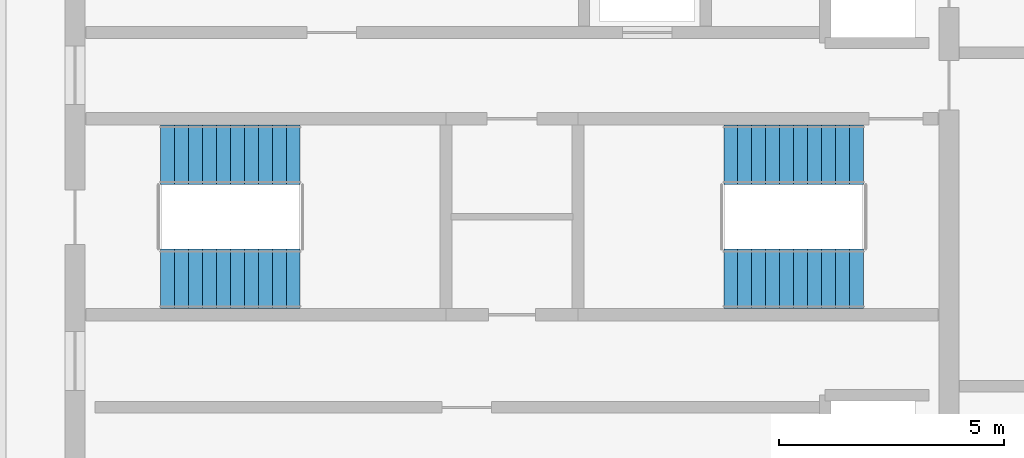
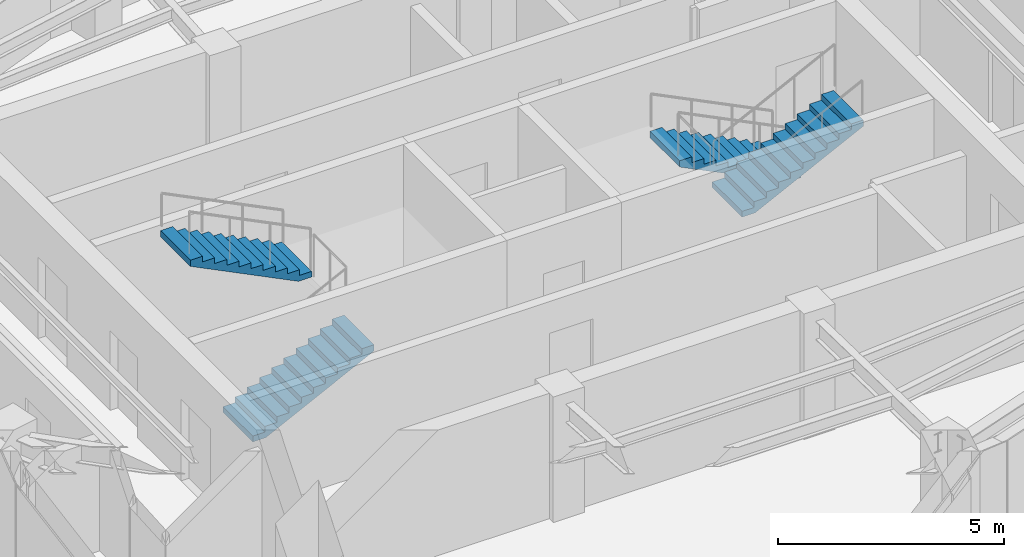
# One storey, part 4 of 5: 4 stair flights, 2 elements without a shape of their own.
"""IFC4 building model written with IfcOpenShell, lengths in metres."""

from ifc_helpers import new_model, si_unit, direction, frame, origin, place, context, subcontext, project, spatial, polyline, outline, extrude, material, type_object, element, aggregate, save


model = new_model("IFC4")

# Units and contexts
model_context = context("Model", 3, precision=1e-05, world=origin(), true_north=direction((0.0, 1.0)))
body_context = subcontext(model_context, "Body", "Model", "MODEL_VIEW")
ifc_project = project(units=[si_unit("LENGTHUNIT", "METRE"), si_unit("AREAUNIT", "SQUARE_METRE"), si_unit("VOLUMEUNIT", "CUBIC_METRE"), si_unit("PLANEANGLEUNIT", "RADIAN"), si_unit("MASSUNIT", "GRAM", prefix="KILO")], contexts=[model_context])

# Site, building, storey
site_placement = place(None, origin())
site = spatial("IfcSite", under=ifc_project, at=site_placement, CompositionType="ELEMENT")
building_placement = place(site_placement, origin())
building = spatial("IfcBuilding", under=site, at=building_placement, Name="Lazwardi Medical Tower", CompositionType="ELEMENT")
storey_placement = place(building_placement, frame((0.0, 0.0, 312.612060546875)))
storey = spatial("IfcBuildingStorey", under=building, at=storey_placement, Name="L82", CompositionType="ELEMENT", Elevation=312.612060546875)

# Stair, stair flights
ifc_material = material(Name="Concrete C45/55", Category="concrete")
stair_type = type_object("IfcStairType", Name="STR-CRN", PredefinedType="HALF_TURN_STAIR", material=ifc_material)
stair_1_placement = place(storey_placement, origin())
stair_1 = element("IfcStair", 1, at=stair_1_placement, inside=storey, type_object=stair_type, Name="L82 Protected Exit Stair ST1", PredefinedType="HALF_TURN_STAIR")
stair_flight_type = type_object("IfcStairFlightType", Name="FLT-CRN", PredefinedType="STRAIGHT", material=ifc_material)
stair_flight_1_placement = place(storey_placement, frame((28.199951171875, 26.679931640625, 0.0), z_axis=(0.0, 0.0, 1.0), x_axis=(1.0, 0.0, 0.0)))
stair_flight_1 = element("IfcStairFlight", 2, at=stair_flight_1_placement, type_object=stair_flight_type, Name="ST1 flight 1", NumberOfRisers=11, NumberOfTreads=10, PredefinedType="STRAIGHT", RiserHeight=0.154, TreadLength=0.31, context=body_context, shape_type="SweptSolid", body=[
    extrude(outline(polyline([(0.0, 0.0), (0.0, 0.154052734375), (0.31005859375, 0.154052734375), (0.31005859375, 0.30810546875), (0.6201171875, 0.30810546875), (0.6201171875, 0.4619140625), (0.929931640625, 0.4619140625), (0.929931640625, 0.615966796875), (1.239990234375, 0.615966796875), (1.239990234375, 0.77001953125), (1.550048828125, 0.77001953125), (1.550048828125, 0.924072265625), (1.860107421875, 0.924072265625), (1.860107421875, 1.077880859375), (2.169921875, 1.077880859375), (2.169921875, 1.23193359375), (2.47998046875, 1.23193359375), (2.47998046875, 1.385986328125), (2.7900390625, 1.385986328125), (2.7900390625, 1.5400390625), (3.10009765625, 1.5400390625), (3.10009765625, 1.694091796875), (3.10009765625, 1.37255859375), (0.3369140625, 0.0), (0.0, 0.0)])), frame((0.0, 0.66015625, 0.0), z_axis=(0.0, -1.0, 0.0), x_axis=(1.0, 0.0, 0.0)), (0.0, 0.0, 1.0), 1.320068359375),
])
stair_flight_2_placement = place(storey_placement, frame((31.300048828125, 29.43994140625, 1.69384765625), z_axis=(0.0, 0.0, 1.0), x_axis=(-1.0, 0.0, 0.0)))
stair_flight_2 = element("IfcStairFlight", 3, at=stair_flight_2_placement, type_object=stair_flight_type, Name="ST1 flight 2", NumberOfRisers=11, NumberOfTreads=10, PredefinedType="STRAIGHT", RiserHeight=0.154, TreadLength=0.31, context=body_context, shape_type="SweptSolid", body=[
    extrude(outline(polyline([(0.0, 0.0), (0.0, 0.154052734375), (0.31005859375, 0.154052734375), (0.31005859375, 0.30810546875), (0.6201171875, 0.30810546875), (0.6201171875, 0.4619140625), (0.929931640625, 0.4619140625), (0.929931640625, 0.615966796875), (1.239990234375, 0.615966796875), (1.239990234375, 0.77001953125), (1.550048828125, 0.77001953125), (1.550048828125, 0.924072265625), (1.860107421875, 0.924072265625), (1.860107421875, 1.077880859375), (2.169921875, 1.077880859375), (2.169921875, 1.23193359375), (2.47998046875, 1.23193359375), (2.47998046875, 1.385986328125), (2.7900390625, 1.385986328125), (2.7900390625, 1.5400390625), (3.10009765625, 1.5400390625), (3.10009765625, 1.694091796875), (3.10009765625, 1.37255859375), (0.3369140625, 0.0), (0.0, 0.0)])), frame((0.0, 0.66015625, 0.0), z_axis=(0.0, -1.0, 0.0), x_axis=(1.0, 0.0, 0.0)), (0.0, 0.0, 1.0), 1.320068359375),
])
aggregate(stair_1, [stair_flight_1, stair_flight_2])

stair_2_placement = place(storey_placement, origin())
stair_2 = element("IfcStair", 4, at=stair_2_placement, inside=storey, type_object=stair_type, Name="L82 Protected Exit Stair ST2", PredefinedType="HALF_TURN_STAIR")
stair_flight_3_placement = place(storey_placement, frame((43.800048828125, 29.43994140625, 0.0), z_axis=(0.0, 0.0, 1.0), x_axis=(-1.0, 0.0, 0.0)))
stair_flight_3 = element("IfcStairFlight", 5, at=stair_flight_3_placement, type_object=stair_flight_type, Name="ST2 flight 1", NumberOfRisers=11, NumberOfTreads=10, PredefinedType="STRAIGHT", RiserHeight=0.154, TreadLength=0.31, context=body_context, shape_type="SweptSolid", body=[
    extrude(outline(polyline([(0.0, 0.0), (0.0, 0.154052734375), (0.31005859375, 0.154052734375), (0.31005859375, 0.30810546875), (0.6201171875, 0.30810546875), (0.6201171875, 0.4619140625), (0.929931640625, 0.4619140625), (0.929931640625, 0.615966796875), (1.239990234375, 0.615966796875), (1.239990234375, 0.77001953125), (1.550048828125, 0.77001953125), (1.550048828125, 0.924072265625), (1.860107421875, 0.924072265625), (1.860107421875, 1.077880859375), (2.169921875, 1.077880859375), (2.169921875, 1.23193359375), (2.47998046875, 1.23193359375), (2.47998046875, 1.385986328125), (2.7900390625, 1.385986328125), (2.7900390625, 1.5400390625), (3.10009765625, 1.5400390625), (3.10009765625, 1.694091796875), (3.10009765625, 1.37255859375), (0.3369140625, 0.0), (0.0, 0.0)])), frame((0.0, 0.66015625, 0.0), z_axis=(0.0, -1.0, 0.0), x_axis=(1.0, 0.0, 0.0)), (0.0, 0.0, 1.0), 1.320068359375),
])
stair_flight_4_placement = place(storey_placement, frame((40.699951171875, 26.679931640625, 1.69384765625), z_axis=(0.0, 0.0, 1.0), x_axis=(1.0, 0.0, 0.0)))
stair_flight_4 = element("IfcStairFlight", 6, at=stair_flight_4_placement, type_object=stair_flight_type, Name="ST2 flight 2", NumberOfRisers=11, NumberOfTreads=10, PredefinedType="STRAIGHT", RiserHeight=0.154, TreadLength=0.31, context=body_context, shape_type="SweptSolid", body=[
    extrude(outline(polyline([(0.0, 0.0), (0.0, 0.154052734375), (0.31005859375, 0.154052734375), (0.31005859375, 0.30810546875), (0.6201171875, 0.30810546875), (0.6201171875, 0.4619140625), (0.929931640625, 0.4619140625), (0.929931640625, 0.615966796875), (1.239990234375, 0.615966796875), (1.239990234375, 0.77001953125), (1.550048828125, 0.77001953125), (1.550048828125, 0.924072265625), (1.860107421875, 0.924072265625), (1.860107421875, 1.077880859375), (2.169921875, 1.077880859375), (2.169921875, 1.23193359375), (2.47998046875, 1.23193359375), (2.47998046875, 1.385986328125), (2.7900390625, 1.385986328125), (2.7900390625, 1.5400390625), (3.10009765625, 1.5400390625), (3.10009765625, 1.694091796875), (3.10009765625, 1.37255859375), (0.3369140625, 0.0), (0.0, 0.0)])), frame((0.0, 0.66015625, 0.0), z_axis=(0.0, -1.0, 0.0), x_axis=(1.0, 0.0, 0.0)), (0.0, 0.0, 1.0), 1.320068359375),
])
aggregate(stair_2, [stair_flight_3, stair_flight_4])

save(model, "model.ifc")
